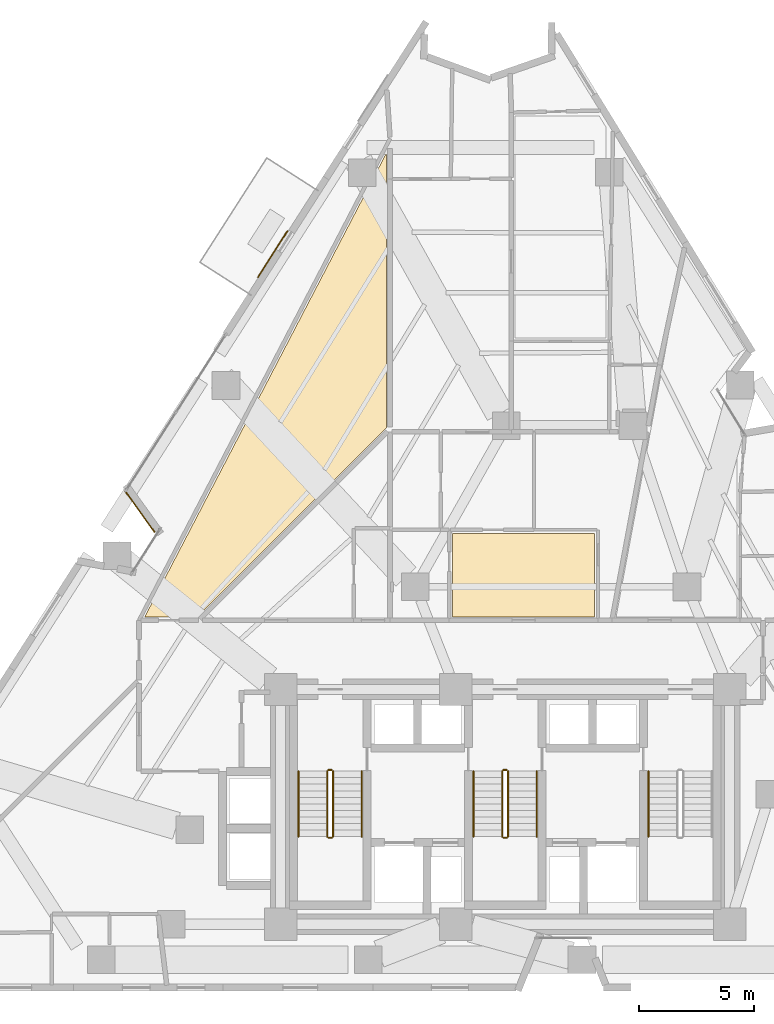
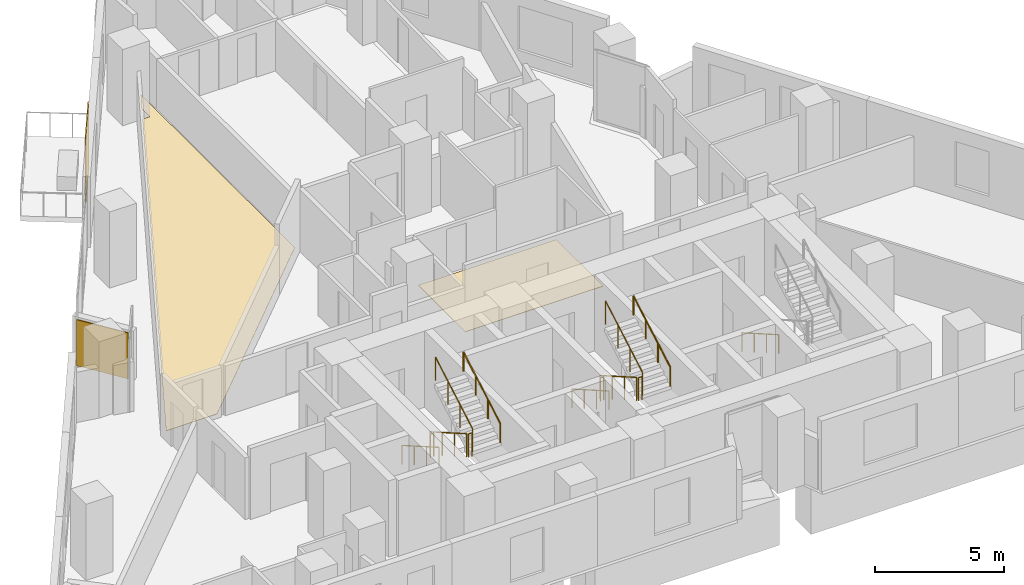
# One storey, part 11 of 13: 13 railings, 4 coverings.
"""IFC4 building model written with IfcOpenShell, lengths in metres."""

from ifc_helpers import new_model, si_unit, direction, frame, origin, origin_2d, place, context, subcontext, project, spatial, polyline, rectangle, circle, outline, extrude, material, layer, layer_set, type_object, element, save


model = new_model("IFC4")

# Units and contexts
model_context = context("Model", 3, precision=1e-05, world=origin(), true_north=direction((0.0, 1.0)))
body_context = subcontext(model_context, "Body", "Model", "MODEL_VIEW")
ifc_project = project(units=[si_unit("LENGTHUNIT", "METRE"), si_unit("AREAUNIT", "SQUARE_METRE"), si_unit("VOLUMEUNIT", "CUBIC_METRE"), si_unit("PLANEANGLEUNIT", "RADIAN"), si_unit("MASSUNIT", "GRAM", prefix="KILO")], contexts=[model_context])

# Site, building, storey
site_placement = place(None, origin())
site = spatial("IfcSite", under=ifc_project, at=site_placement, CompositionType="ELEMENT")
building_placement = place(site_placement, origin())
building = spatial("IfcBuilding", under=site, at=building_placement, Name="Almagre Mirador Tower", CompositionType="ELEMENT")
storey_placement = place(building_placement, frame((0.0, 0.0, 75.0)))
storey = spatial("IfcBuildingStorey", under=building, at=storey_placement, Name="L18", CompositionType="ELEMENT", Elevation=75.0)

# Coverings
ifc_material_1 = material(Name="Almagre terracotta architectural cladding", Category="masonry")
ifc_layer_1 = layer(ifc_material_1, 0.044921875)
ifc_layer_set_1 = layer_set([ifc_layer_1], Name="Almagre terracotta architectural cladding")
covering_type_1 = type_object("IfcCoveringType", Name="COV-CLAD-ALMAGRE", PredefinedType="CLADDING", material=ifc_layer_set_1)
covering_1_placement = place(storey_placement, frame((21.4404296875, 22.4638671875, 0.10009765625), z_axis=(0.0, 0.0, 1.0), x_axis=(-0.583186817535, 0.812338067466, 0.0)))
element("IfcCovering", 1, at=covering_1_placement, inside=storey, type_object=covering_type_1, Name="L18 almagre terracotta pier cladding", PredefinedType="CLADDING", context=body_context, shape_type="SweptSolid", body=[
    extrude(rectangle(XDim=2.193115234375, YDim=0.044921875, at=origin_2d()), origin(), (0.0, 0.0, 1.0), 2.175048828125),
])
covering_2_placement = place(storey_placement, frame((27.205322265625, 33.656005859375, 0.10009765625), z_axis=(0.0, 0.0, 1.0), x_axis=(0.53944697543, 0.842019572635, 0.0)))
element("IfcCovering", 2, at=covering_2_placement, inside=storey, type_object=covering_type_1, Name="L18 almagre terracotta pier cladding", PredefinedType="CLADDING", context=body_context, shape_type="SweptSolid", body=[
    extrude(rectangle(XDim=2.39990234375, YDim=0.044921875, at=origin_2d()), origin(), (0.0, 0.0, 1.0), 3.14990234375),
])
ifc_material_2 = material(Name="Engineered white oak flooring", Category="wood")
ifc_layer_2 = layer(ifc_material_2, 0.01806640625)
ifc_layer_set_2 = layer_set([ifc_layer_2], Name="Engineered white oak flooring")
covering_type_2 = type_object("IfcCoveringType", Name="COV-FLR-OAK-18", PredefinedType="FLOORING", material=ifc_layer_set_2)
covering_3_placement = place(storey_placement, origin())
element("IfcCovering", 3, at=covering_3_placement, inside=storey, type_object=covering_type_2, Name="L18 L18 Residents Reading Gallery G finish flooring", PredefinedType="FLOORING", context=body_context, shape_type="SweptSolid", body=[
    extrude(outline(polyline([(23.927978515625, 17.89990234375), (21.64697265625, 17.89990234375), (31.382080078125, 36.583984375), (31.702880859375, 36.583984375), (31.702880859375, 37.199951171875), (32.14990234375, 38.056884765625), (32.14990234375, 26.1220703125), (23.927978515625, 17.89990234375)])), origin(), (0.0, 0.0, 1.0), 0.01806640625),
])
covering_4_placement = place(storey_placement, origin())
element("IfcCovering", 4, at=covering_4_placement, inside=storey, type_object=covering_type_2, Name="L18 Unit L18-H Living and Dining Room finish flooring", PredefinedType="FLOORING", context=body_context, shape_type="SweptSolid", body=[
    extrude(outline(polyline([(35.02001953125, 21.530029296875), (41.18994140625, 21.530029296875), (41.18994140625, 17.89990234375), (35.02001953125, 17.89990234375), (35.02001953125, 21.530029296875)])), origin(), (0.0, 0.0, 1.0), 0.01806640625),
])

# Railings
ifc_material_3 = material(Name="Painted galvanized steel", Category="steel")
railing_type_1 = type_object("IfcRailingType", Name="RLG-GRD-1100", PredefinedType="GUARDRAIL", material=ifc_material_3)
railing_1_placement = place(storey_placement, frame((29.574951171875, 11.199951171875, 0.16357421875)))
element("IfcRailing", 5, at=railing_1_placement, inside=storey, type_object=railing_type_1, Name="L18 ST-1 stair guard 1", PredefinedType="GUARDRAIL", context=body_context, shape_type="SweptSolid", body=[
    extrude(circle(Radius=0.02392578125, at=origin_2d()), frame((0.0, 0.0, 1.09619140625), z_axis=(0.0, -0.867194282975, 0.497969954491), x_axis=(1.0, 0.0, 0.0)), (0.0, 0.0, 1.0), 3.286376953125),
    extrude(circle(Radius=0.02099609375, at=origin_2d()), origin(), (0.0, 0.0, 1.0), 1.072021484375),
    extrude(circle(Radius=0.02099609375, at=origin_2d()), frame((0.0, -0.949951171875, 0.54541015625)), (0.0, 0.0, 1.0), 1.072021484375),
    extrude(circle(Radius=0.02099609375, at=origin_2d()), frame((0.0, -1.89990234375, 1.091064453125)), (0.0, 0.0, 1.0), 1.072021484375),
    extrude(circle(Radius=0.02099609375, at=origin_2d()), frame((0.0, -2.849853515625, 1.636474609375)), (0.0, 0.0, 1.0), 1.072021484375),
])
railing_2_placement = place(storey_placement, frame((29.625, 8.300048828125, 1.800048828125)))
element("IfcRailing", 6, at=railing_2_placement, inside=storey, type_object=railing_type_1, Name="L18 ST-1 stair guard 2", PredefinedType="GUARDRAIL", context=body_context, shape_type="SweptSolid", body=[
    extrude(circle(Radius=0.02392578125, at=origin_2d()), frame((0.0, 0.0, 1.09619140625), z_axis=(1.0, 0.0, 0.0), x_axis=(0.0, 1.0, 0.0)), (0.0, 0.0, 1.0), 0.14990234375),
    extrude(circle(Radius=0.02099609375, at=origin_2d()), origin(), (0.0, 0.0, 1.0), 1.072021484375),
    extrude(circle(Radius=0.02099609375, at=origin_2d()), frame((0.14990234375, 0.0, 0.0)), (0.0, 0.0, 1.0), 1.072021484375),
])
railing_3_placement = place(storey_placement, frame((29.824951171875, 8.35009765625, 1.963623046875)))
element("IfcRailing", 7, at=railing_3_placement, inside=storey, type_object=railing_type_1, Name="L18 ST-1 stair guard 3", PredefinedType="GUARDRAIL", context=body_context, shape_type="SweptSolid", body=[
    extrude(circle(Radius=0.02392578125, at=origin_2d()), frame((0.0, 0.0, 1.09619140625), z_axis=(0.0, 0.867194282975, 0.497969954491), x_axis=(-1.0, 0.0, 0.0)), (0.0, 0.0, 1.0), 3.286376953125),
    extrude(circle(Radius=0.02099609375, at=origin_2d()), origin(), (0.0, 0.0, 1.0), 1.072021484375),
    extrude(circle(Radius=0.02099609375, at=origin_2d()), frame((0.0, 0.949951171875, 0.54541015625)), (0.0, 0.0, 1.0), 1.072021484375),
    extrude(circle(Radius=0.02099609375, at=origin_2d()), frame((0.0, 1.89990234375, 1.091064453125)), (0.0, 0.0, 1.0), 1.072021484375),
    extrude(circle(Radius=0.02099609375, at=origin_2d()), frame((0.0, 2.849853515625, 1.636474609375)), (0.0, 0.0, 1.0), 1.072021484375),
])
railing_4_placement = place(storey_placement, frame((29.625, 11.25, 0.0)))
element("IfcRailing", 8, at=railing_4_placement, inside=storey, type_object=railing_type_1, Name="L18 ST-1 stair guard 4", PredefinedType="GUARDRAIL", context=body_context, shape_type="SweptSolid", body=[
    extrude(circle(Radius=0.02392578125, at=origin_2d()), frame((0.0, 0.0, 1.09619140625), z_axis=(1.0, 0.0, 0.0), x_axis=(0.0, 1.0, 0.0)), (0.0, 0.0, 1.0), 0.14990234375),
    extrude(circle(Radius=0.02099609375, at=origin_2d()), origin(), (0.0, 0.0, 1.0), 1.072021484375),
    extrude(circle(Radius=0.02099609375, at=origin_2d()), frame((0.14990234375, 0.0, 0.0)), (0.0, 0.0, 1.0), 1.072021484375),
])
railing_5_placement = place(storey_placement, frame((37.175048828125, 11.199951171875, 0.16357421875)))
element("IfcRailing", 9, at=railing_5_placement, inside=storey, type_object=railing_type_1, Name="L18 ST-2 stair guard 1", PredefinedType="GUARDRAIL", context=body_context, shape_type="SweptSolid", body=[
    extrude(circle(Radius=0.02392578125, at=origin_2d()), frame((0.0, 0.0, 1.09619140625), z_axis=(0.0, -0.867194282975, 0.497969954491), x_axis=(1.0, 0.0, 0.0)), (0.0, 0.0, 1.0), 3.286376953125),
    extrude(circle(Radius=0.02099609375, at=origin_2d()), origin(), (0.0, 0.0, 1.0), 1.072021484375),
    extrude(circle(Radius=0.02099609375, at=origin_2d()), frame((0.0, -0.949951171875, 0.54541015625)), (0.0, 0.0, 1.0), 1.072021484375),
    extrude(circle(Radius=0.02099609375, at=origin_2d()), frame((0.0, -1.89990234375, 1.091064453125)), (0.0, 0.0, 1.0), 1.072021484375),
    extrude(circle(Radius=0.02099609375, at=origin_2d()), frame((0.0, -2.849853515625, 1.636474609375)), (0.0, 0.0, 1.0), 1.072021484375),
])
railing_6_placement = place(storey_placement, frame((37.22509765625, 8.300048828125, 1.800048828125)))
element("IfcRailing", 10, at=railing_6_placement, inside=storey, type_object=railing_type_1, Name="L18 ST-2 stair guard 2", PredefinedType="GUARDRAIL", context=body_context, shape_type="SweptSolid", body=[
    extrude(circle(Radius=0.02392578125, at=origin_2d()), frame((0.0, 0.0, 1.09619140625), z_axis=(1.0, 0.0, 0.0), x_axis=(0.0, 1.0, 0.0)), (0.0, 0.0, 1.0), 0.14990234375),
    extrude(circle(Radius=0.02099609375, at=origin_2d()), origin(), (0.0, 0.0, 1.0), 1.072021484375),
    extrude(circle(Radius=0.02099609375, at=origin_2d()), frame((0.14990234375, 0.0, 0.0)), (0.0, 0.0, 1.0), 1.072021484375),
])
railing_7_placement = place(storey_placement, frame((37.425048828125, 8.35009765625, 1.963623046875)))
element("IfcRailing", 11, at=railing_7_placement, inside=storey, type_object=railing_type_1, Name="L18 ST-2 stair guard 3", PredefinedType="GUARDRAIL", context=body_context, shape_type="SweptSolid", body=[
    extrude(circle(Radius=0.02392578125, at=origin_2d()), frame((0.0, 0.0, 1.09619140625), z_axis=(0.0, 0.867194282975, 0.497969954491), x_axis=(-1.0, 0.0, 0.0)), (0.0, 0.0, 1.0), 3.286376953125),
    extrude(circle(Radius=0.02099609375, at=origin_2d()), origin(), (0.0, 0.0, 1.0), 1.072021484375),
    extrude(circle(Radius=0.02099609375, at=origin_2d()), frame((0.0, 0.949951171875, 0.54541015625)), (0.0, 0.0, 1.0), 1.072021484375),
    extrude(circle(Radius=0.02099609375, at=origin_2d()), frame((0.0, 1.89990234375, 1.091064453125)), (0.0, 0.0, 1.0), 1.072021484375),
    extrude(circle(Radius=0.02099609375, at=origin_2d()), frame((0.0, 2.849853515625, 1.636474609375)), (0.0, 0.0, 1.0), 1.072021484375),
])
railing_8_placement = place(storey_placement, frame((37.22509765625, 11.25, 0.0)))
element("IfcRailing", 12, at=railing_8_placement, inside=storey, type_object=railing_type_1, Name="L18 ST-2 stair guard 4", PredefinedType="GUARDRAIL", context=body_context, shape_type="SweptSolid", body=[
    extrude(circle(Radius=0.02392578125, at=origin_2d()), frame((0.0, 0.0, 1.09619140625), z_axis=(1.0, 0.0, 0.0), x_axis=(0.0, 1.0, 0.0)), (0.0, 0.0, 1.0), 0.14990234375),
    extrude(circle(Radius=0.02099609375, at=origin_2d()), origin(), (0.0, 0.0, 1.0), 1.072021484375),
    extrude(circle(Radius=0.02099609375, at=origin_2d()), frame((0.14990234375, 0.0, 0.0)), (0.0, 0.0, 1.0), 1.072021484375),
])
ifc_material_4 = material(Name="Brushed stainless steel", Category="steel")
railing_type_2 = type_object("IfcRailingType", Name="RLG-HND-915", PredefinedType="HANDRAIL", material=ifc_material_4)
railing_9_placement = place(storey_placement, frame((28.324951171875, 11.199951171875, 0.16357421875)))
element("IfcRailing", 13, at=railing_9_placement, inside=storey, type_object=railing_type_2, Name="L18 ST-1 stair handrail 1", PredefinedType="HANDRAIL", context=body_context, shape_type="SweptSolid", body=[
    extrude(circle(Radius=0.02392578125, at=origin_2d()), frame((0.0, 0.0, 0.89111328125), z_axis=(0.0, -0.867194282975, 0.497969954491), x_axis=(1.0, 0.0, 0.0)), (0.0, 0.0, 1.0), 3.286376953125),
    extrude(circle(Radius=0.02099609375, at=origin_2d()), origin(), (0.0, 0.0, 1.0), 0.866943359375),
    extrude(circle(Radius=0.02099609375, at=origin_2d()), frame((0.0, -0.949951171875, 0.54541015625)), (0.0, 0.0, 1.0), 0.866943359375),
    extrude(circle(Radius=0.02099609375, at=origin_2d()), frame((0.0, -1.89990234375, 1.091064453125)), (0.0, 0.0, 1.0), 0.866943359375),
    extrude(circle(Radius=0.02099609375, at=origin_2d()), frame((0.0, -2.849853515625, 1.636474609375)), (0.0, 0.0, 1.0), 0.866943359375),
])
railing_10_placement = place(storey_placement, frame((31.074951171875, 8.35009765625, 1.963623046875)))
element("IfcRailing", 14, at=railing_10_placement, inside=storey, type_object=railing_type_2, Name="L18 ST-1 stair handrail 2", PredefinedType="HANDRAIL", context=body_context, shape_type="SweptSolid", body=[
    extrude(circle(Radius=0.02392578125, at=origin_2d()), frame((0.0, 0.0, 0.89111328125), z_axis=(0.0, 0.867194282975, 0.497969954491), x_axis=(-1.0, 0.0, 0.0)), (0.0, 0.0, 1.0), 3.286376953125),
    extrude(circle(Radius=0.02099609375, at=origin_2d()), origin(), (0.0, 0.0, 1.0), 0.866943359375),
    extrude(circle(Radius=0.02099609375, at=origin_2d()), frame((0.0, 0.949951171875, 0.54541015625)), (0.0, 0.0, 1.0), 0.866943359375),
    extrude(circle(Radius=0.02099609375, at=origin_2d()), frame((0.0, 1.89990234375, 1.091064453125)), (0.0, 0.0, 1.0), 0.866943359375),
    extrude(circle(Radius=0.02099609375, at=origin_2d()), frame((0.0, 2.849853515625, 1.636474609375)), (0.0, 0.0, 1.0), 0.866943359375),
])
railing_11_placement = place(storey_placement, frame((35.925048828125, 11.199951171875, 0.16357421875)))
element("IfcRailing", 15, at=railing_11_placement, inside=storey, type_object=railing_type_2, Name="L18 ST-2 stair handrail 1", PredefinedType="HANDRAIL", context=body_context, shape_type="SweptSolid", body=[
    extrude(circle(Radius=0.02392578125, at=origin_2d()), frame((0.0, 0.0, 0.89111328125), z_axis=(0.0, -0.867194282975, 0.497969954491), x_axis=(1.0, 0.0, 0.0)), (0.0, 0.0, 1.0), 3.286376953125),
    extrude(circle(Radius=0.02099609375, at=origin_2d()), origin(), (0.0, 0.0, 1.0), 0.866943359375),
    extrude(circle(Radius=0.02099609375, at=origin_2d()), frame((0.0, -0.949951171875, 0.54541015625)), (0.0, 0.0, 1.0), 0.866943359375),
    extrude(circle(Radius=0.02099609375, at=origin_2d()), frame((0.0, -1.89990234375, 1.091064453125)), (0.0, 0.0, 1.0), 0.866943359375),
    extrude(circle(Radius=0.02099609375, at=origin_2d()), frame((0.0, -2.849853515625, 1.636474609375)), (0.0, 0.0, 1.0), 0.866943359375),
])
railing_12_placement = place(storey_placement, frame((38.675048828125, 8.35009765625, 1.963623046875)))
element("IfcRailing", 16, at=railing_12_placement, inside=storey, type_object=railing_type_2, Name="L18 ST-2 stair handrail 2", PredefinedType="HANDRAIL", context=body_context, shape_type="SweptSolid", body=[
    extrude(circle(Radius=0.02392578125, at=origin_2d()), frame((0.0, 0.0, 0.89111328125), z_axis=(0.0, 0.867194282975, 0.497969954491), x_axis=(-1.0, 0.0, 0.0)), (0.0, 0.0, 1.0), 3.286376953125),
    extrude(circle(Radius=0.02099609375, at=origin_2d()), origin(), (0.0, 0.0, 1.0), 0.866943359375),
    extrude(circle(Radius=0.02099609375, at=origin_2d()), frame((0.0, 0.949951171875, 0.54541015625)), (0.0, 0.0, 1.0), 0.866943359375),
    extrude(circle(Radius=0.02099609375, at=origin_2d()), frame((0.0, 1.89990234375, 1.091064453125)), (0.0, 0.0, 1.0), 0.866943359375),
    extrude(circle(Radius=0.02099609375, at=origin_2d()), frame((0.0, 2.849853515625, 1.636474609375)), (0.0, 0.0, 1.0), 0.866943359375),
])
railing_13_placement = place(storey_placement, frame((43.52490234375, 11.199951171875, 0.16357421875)))
element("IfcRailing", 17, at=railing_13_placement, inside=storey, type_object=railing_type_2, Name="L18 ST-3 stair handrail 1", PredefinedType="HANDRAIL", context=body_context, shape_type="SweptSolid", body=[
    extrude(circle(Radius=0.02392578125, at=origin_2d()), frame((0.0, 0.0, 0.89111328125), z_axis=(0.0, -0.867194282975, 0.497969954491), x_axis=(1.0, 0.0, 0.0)), (0.0, 0.0, 1.0), 3.286376953125),
    extrude(circle(Radius=0.02099609375, at=origin_2d()), origin(), (0.0, 0.0, 1.0), 0.866943359375),
    extrude(circle(Radius=0.02099609375, at=origin_2d()), frame((0.0, -0.949951171875, 0.54541015625)), (0.0, 0.0, 1.0), 0.866943359375),
    extrude(circle(Radius=0.02099609375, at=origin_2d()), frame((0.0, -1.89990234375, 1.091064453125)), (0.0, 0.0, 1.0), 0.866943359375),
    extrude(circle(Radius=0.02099609375, at=origin_2d()), frame((0.0, -2.849853515625, 1.636474609375)), (0.0, 0.0, 1.0), 0.866943359375),
])

save(model, "model.ifc")
